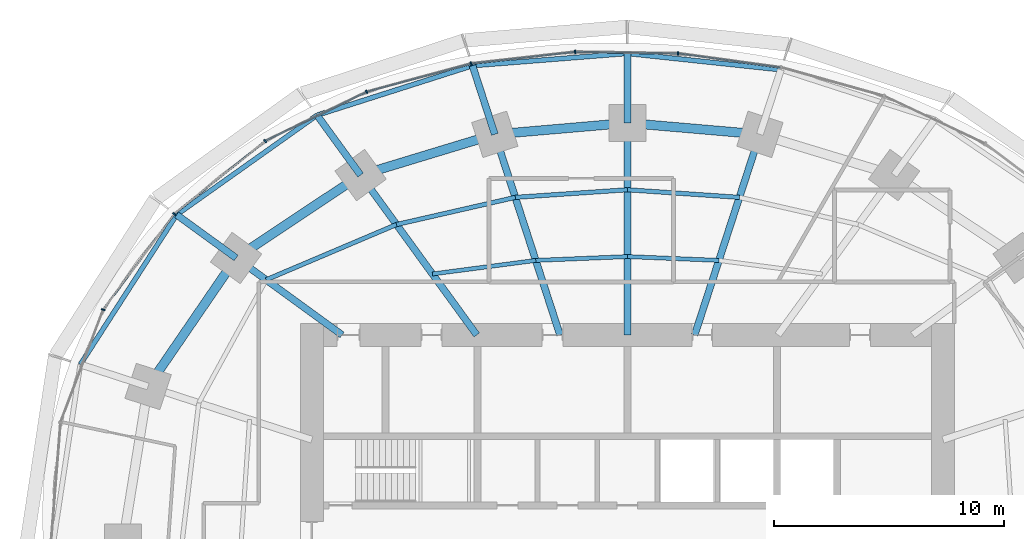
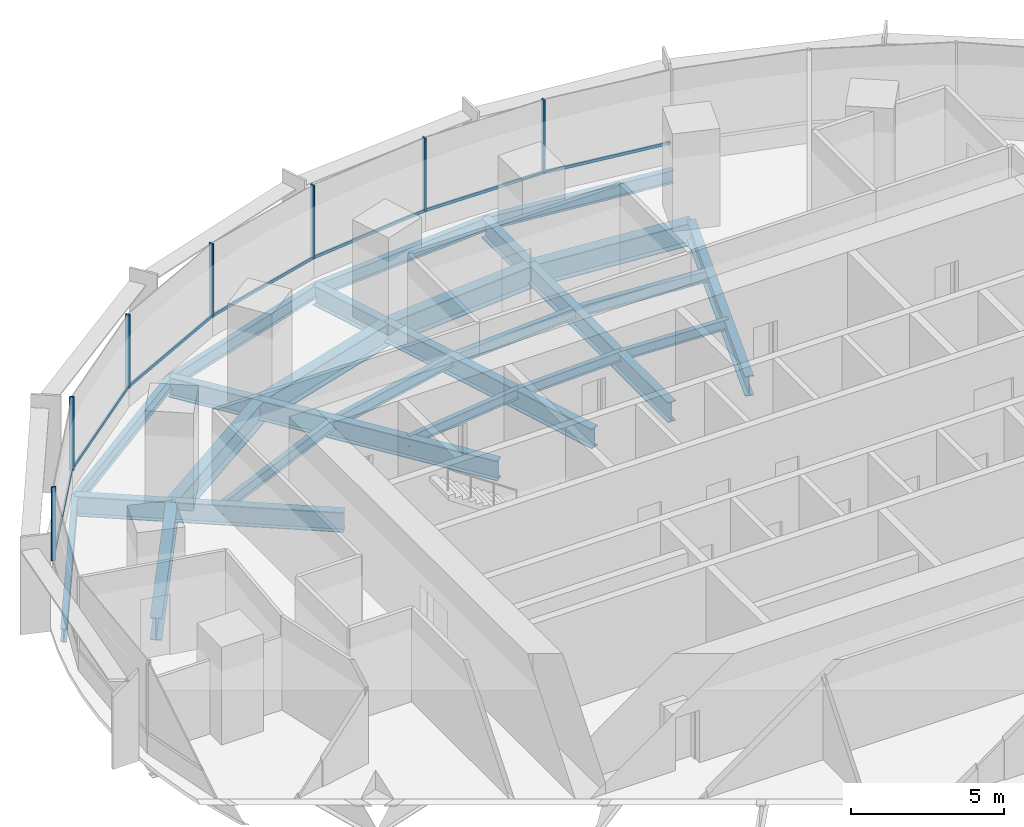
# One storey, part 7 of 14: 26 beams, 14 members, 2 elements without a shape of their own.
"""IFC4 building model written with IfcOpenShell, lengths in metres."""

from ifc_helpers import new_model, si_unit, direction, frame, origin, origin_2d, place, context, subcontext, project, spatial, rectangle, i_section, extrude, material, material_profile, profile_set, type_object, element, aggregate, save


model = new_model("IFC4")

# Units and contexts
model_context = context("Model", 3, precision=1e-05, world=origin(), true_north=direction((0.0, 1.0)))
body_context = subcontext(model_context, "Body", "Model", "MODEL_VIEW")
ifc_project = project(units=[si_unit("LENGTHUNIT", "METRE"), si_unit("AREAUNIT", "SQUARE_METRE"), si_unit("VOLUMEUNIT", "CUBIC_METRE"), si_unit("PLANEANGLEUNIT", "RADIAN"), si_unit("MASSUNIT", "GRAM", prefix="KILO")], contexts=[model_context])

# Site, building, storey
site_placement = place(None, origin())
site = spatial("IfcSite", under=ifc_project, at=site_placement, CompositionType="ELEMENT")
building_placement = place(site_placement, origin())
building = spatial("IfcBuilding", under=site, at=building_placement, Name="Marramba Exchange Tower", CompositionType="ELEMENT")
storey_placement = place(building_placement, frame((0.0, 0.0, 150.89990234375)))
storey = spatial("IfcBuildingStorey", under=building, at=storey_placement, Name="L36", CompositionType="ELEMENT", Elevation=150.89990234375)

# Beams
ifc_material_1 = material(Name="Steel AS/NZS 3679.2 grade 300", Category="steel")
ifc_material_profile_1 = material_profile(ifc_material_1, i_section(OverallWidth=0.300048828125, OverallDepth=0.800048828125, WebThickness=0.013916015625, FlangeThickness=0.031982421875, at=origin_2d()), Name="800WB192")
ifc_profile_set_1 = profile_set([ifc_material_profile_1], Name="Steel AS/NZS 3679.2 grade 300")
beam_type_1 = type_object("IfcBeamType", Name="Cantilever girder 800WB192", PredefinedType="BEAM", material=ifc_profile_set_1)
beam_1_placement = place(storey_placement, frame((0.0, 18.2041015625, -0.559814453125), z_axis=(0.0, 1.0, 0.0), x_axis=(-1.0, 0.0, 0.0)))
element("IfcBeam", 1, at=beam_1_placement, inside=storey, type_object=beam_type_1, Name="Cantilever girder L36 TC06", PredefinedType="BEAM", context=body_context, shape_type="SweptSolid", body=[
    extrude(i_section(OverallWidth=0.300048828125, OverallDepth=0.800048828125, WebThickness=0.013916015625, FlangeThickness=0.031982421875, at=origin_2d()), origin(), (0.0, 0.0, 1.0), 3.01904296875),
])
beam_2_placement = place(storey_placement, frame((-5.75390625, 17.70849609375, -0.559814453125), z_axis=(-0.309028002802, 0.95105293937, 0.0), x_axis=(-0.95105293937, -0.309028002802, 0.0)))
element("IfcBeam", 2, at=beam_2_placement, inside=storey, type_object=beam_type_1, Name="Cantilever girder L36 TC07", PredefinedType="BEAM", context=body_context, shape_type="SweptSolid", body=[
    extrude(i_section(OverallWidth=0.300048828125, OverallDepth=0.800048828125, WebThickness=0.013916015625, FlangeThickness=0.031982421875, at=origin_2d()), origin(), (0.0, 0.0, 1.0), 3.13720703125),
])
beam_3_placement = place(storey_placement, frame((-11.581298828125, 15.9404296875, -0.559814453125), z_axis=(-0.587828447158, 0.808985609706, 0.0), x_axis=(-0.808985609706, -0.587828447158, 0.0)))
element("IfcBeam", 3, at=beam_3_placement, inside=storey, type_object=beam_type_1, Name="Cantilever girder L36 TC08", PredefinedType="BEAM", context=body_context, shape_type="SweptSolid", body=[
    extrude(i_section(OverallWidth=0.300048828125, OverallDepth=0.800048828125, WebThickness=0.013916015625, FlangeThickness=0.031982421875, at=origin_2d()), origin(), (0.0, 0.0, 1.0), 3.214599609375),
])
beam_4_placement = place(storey_placement, frame((-16.98583984375, 12.3408203125, -0.559814453125), z_axis=(-0.809013857915, 0.587789569234, 0.0), x_axis=(-0.587789569234, -0.809013857915, 0.0)))
element("IfcBeam", 4, at=beam_4_placement, inside=storey, type_object=beam_type_1, Name="Cantilever girder L36 TC09", PredefinedType="BEAM", context=body_context, shape_type="SweptSolid", body=[
    extrude(i_section(OverallWidth=0.300048828125, OverallDepth=0.800048828125, WebThickness=0.013916015625, FlangeThickness=0.031982421875, at=origin_2d()), origin(), (0.0, 0.0, 1.0), 3.191650390625),
])
ifc_material_2 = material(Name="Steel AS/NZS 3679.1 grade 300", Category="steel")
ifc_material_profile_2 = material_profile(ifc_material_2, i_section(OverallWidth=0.177978515625, OverallDepth=0.406005859375, WebThickness=0.0078125, FlangeThickness=0.0126953125, FilletRadius=0.011474609375, at=origin_2d()), Name="410UB59.7")
ifc_profile_set_2 = profile_set([ifc_material_profile_2], Name="Steel AS/NZS 3679.1 grade 300")
beam_type_2 = type_object("IfcBeamType", Name="Floor joist 410UB59.7", PredefinedType="JOIST", material=ifc_profile_set_2)
for number, where, z_axis, x_axis, name in (
    (5, (3.975830078125, 12.236083984375, -0.36279296875), (-0.999137002892, 0.041536122257, 0.0), (-0.041536122257, -0.999137002892, 0.0), "Joist L36 bay 05 row 1"),
    (6, (0.0, 12.4013671875, -0.36279296875), (-0.999137002892, -0.041536122257, 0.0), (0.041536122257, -0.999137002892, 0.0), "Joist L36 bay 06 row 1"),
):
    element("IfcBeam", number, at=place(storey_placement, frame(where, z_axis=z_axis, x_axis=x_axis)), inside=storey, type_object=beam_type_2, Name=name, PredefinedType="JOIST", context=body_context, shape_type="SweptSolid", body=[
        extrude(i_section(OverallWidth=0.177978515625, OverallDepth=0.406005859375, WebThickness=0.0078125, FlangeThickness=0.0126953125, FilletRadius=0.011474609375, at=origin_2d()), origin(), (0.0, 0.0, 1.0), 3.979248046875),
    ])
beam_5_placement = place(storey_placement, frame((-3.975830078125, 12.236083984375, -0.36279296875), z_axis=(-0.991480538255, -0.130254912618, 0.0), x_axis=(0.130254912618, -0.991480538255, 0.0)))
element("IfcBeam", 7, at=beam_5_placement, inside=storey, type_object=beam_type_2, Name="Joist L36 bay 07 row 1", PredefinedType="JOIST", context=body_context, shape_type="SweptSolid", body=[
    extrude(i_section(OverallWidth=0.177978515625, OverallDepth=0.406005859375, WebThickness=0.0078125, FlangeThickness=0.0126953125, FilletRadius=0.011474609375, at=origin_2d()), origin(), (0.0, 0.0, 1.0), 4.524658203125),
])
ifc_material_profile_3 = material_profile(ifc_material_2, i_section(OverallWidth=0.18994140625, OverallDepth=0.4541015625, WebThickness=0.008544921875, FlangeThickness=0.0126953125, FilletRadius=0.011474609375, at=origin_2d()), Name="460UB67.1")
ifc_profile_set_3 = profile_set([ifc_material_profile_3], Name="Steel AS/NZS 3679.1 grade 300")
beam_type_3 = type_object("IfcBeamType", Name="Floor joist 460UB67.1", PredefinedType="JOIST", material=ifc_profile_set_3)
for number, where, z_axis, x_axis, name in (
    (8, (4.86474609375, 14.972412109375, -0.386962890625), (-0.997702652202, 0.067745241816, 0.0), (-0.067745241816, -0.997702652202, 0.0), "Joist L36 bay 05 row 2"),
    (9, (0.0, 15.302734375, -0.386962890625), (-0.997702652202, -0.067745241816, 0.0), (0.067745241816, -0.997702652202, 0.0), "Joist L36 bay 06 row 2"),
):
    element("IfcBeam", number, at=place(storey_placement, frame(where, z_axis=z_axis, x_axis=x_axis)), inside=storey, type_object=beam_type_3, Name=name, PredefinedType="JOIST", context=body_context, shape_type="SweptSolid", body=[
        extrude(i_section(OverallWidth=0.18994140625, OverallDepth=0.4541015625, WebThickness=0.008544921875, FlangeThickness=0.0126953125, FilletRadius=0.011474609375, at=origin_2d()), origin(), (0.0, 0.0, 1.0), 4.8759765625),
    ])
beam_6_placement = place(storey_placement, frame((-4.86474609375, 14.972412109375, -0.386962890625), z_axis=(-0.974859652292, -0.222819788916, 0.0), x_axis=(0.222819788916, -0.974859652292, 0.0)))
element("IfcBeam", 10, at=beam_6_placement, inside=storey, type_object=beam_type_3, Name="Joist L36 bay 07 row 2", PredefinedType="JOIST", context=body_context, shape_type="SweptSolid", body=[
    extrude(i_section(OverallWidth=0.18994140625, OverallDepth=0.4541015625, WebThickness=0.008544921875, FlangeThickness=0.0126953125, FilletRadius=0.011474609375, at=origin_2d()), origin(), (0.0, 0.0, 1.0), 5.2900390625),
])
beam_7_placement = place(storey_placement, frame((-10.021728515625, 13.793701171875, -0.386962890625), z_axis=(-0.920674336375, -0.390331610738, 0.0), x_axis=(0.390331610738, -0.920674336375, 0.0)))
element("IfcBeam", 11, at=beam_7_placement, inside=storey, type_object=beam_type_3, Name="Joist L36 bay 08 row 2", PredefinedType="JOIST", context=body_context, shape_type="SweptSolid", body=[
    extrude(i_section(OverallWidth=0.18994140625, OverallDepth=0.4541015625, WebThickness=0.008544921875, FlangeThickness=0.0126953125, FilletRadius=0.011474609375, at=origin_2d()), origin(), (0.0, 0.0, 1.0), 6.1484375),
])

# Curtain wall, members
ifc_material_3 = material(Name="Aluminium framing, bronze anodised", Category="aluminium")
curtain_wall_type = type_object("IfcCurtainWallType", Name="Office ribbon curtain wall", PredefinedType="USERDEFINED", material=ifc_material_3)
curtain_wall_1_placement = place(storey_placement, origin())
curtain_wall_1 = element("IfcCurtainWall", 12, at=curtain_wall_1_placement, inside=storey, type_object=curtain_wall_type, Name="Curtain wall CW4 L36 F06-F10", ObjectType="RIBBON CURTAIN WALL", PredefinedType="USERDEFINED")
ifc_material_4 = material(Name="Aluminium mullion, bronze anodised", Category="aluminium")
ifc_material_profile_4 = material_profile(ifc_material_4, rectangle(XDim=0.159912109375, YDim=0.06005859375, at=origin_2d()), Name="CW4 mullion 60x160")
ifc_profile_set_4 = profile_set([ifc_material_profile_4], Name="Aluminium mullion, bronze anodised")
member_type_1 = type_object("IfcMemberType", Name="Office ribbon curtain wall mullion", PredefinedType="MULLION", material=ifc_profile_set_4)
member_1_placement = place(storey_placement, frame((2.200439453125, 21.2216796875, 0.800048828125), z_axis=(0.0, 0.0, 1.0), x_axis=(-0.01575578169, -0.999875869968, 0.0)))
member_1 = element("IfcMember", 13, at=member_1_placement, type_object=member_type_1, Name="CW4 mullion 1", PredefinedType="MULLION", context=body_context, shape_type="SweptSolid", body=[
    extrude(rectangle(XDim=0.159912109375, YDim=0.06005859375, at=origin_2d()), origin(), (0.0, 0.0, 1.0), 2.93994140625),
])
member_2_placement = place(storey_placement, frame((-2.267578125, 21.288330078125, 0.800048828125), z_axis=(0.0, 0.0, 1.0), x_axis=(0.110973233233, -0.993823395532, 0.0)))
member_2 = element("IfcMember", 14, at=member_2_placement, type_object=member_type_1, Name="CW4 mullion 1", PredefinedType="MULLION", context=body_context, shape_type="SweptSolid", body=[
    extrude(rectangle(XDim=0.159912109375, YDim=0.06005859375, at=origin_2d()), origin(), (0.0, 0.0, 1.0), 2.93994140625),
])
member_3_placement = place(storey_placement, frame((-6.783203125, 20.779541015625, 0.800048828125), z_axis=(0.0, 0.0, 1.0), x_axis=(0.260321294588, -0.965522047176, 0.0)))
member_3 = element("IfcMember", 15, at=member_3_placement, type_object=member_type_1, Name="CW4 mullion 1", PredefinedType="MULLION", context=body_context, shape_type="SweptSolid", body=[
    extrude(rectangle(XDim=0.159912109375, YDim=0.06005859375, at=origin_2d()), origin(), (0.0, 0.0, 1.0), 2.93994140625),
])

curtain_wall_2_placement = place(storey_placement, origin())
curtain_wall_2 = element("IfcCurtainWall", 16, at=curtain_wall_2_placement, inside=storey, type_object=curtain_wall_type, Name="Curtain wall CW4 L36 F11-F15", ObjectType="RIBBON CURTAIN WALL", PredefinedType="USERDEFINED")
member_4_placement = place(storey_placement, frame((-11.32177734375, 19.550048828125, 0.800048828125), z_axis=(0.0, 0.0, 1.0), x_axis=(0.435427626771, -0.900223739881, 0.0)))
member_4 = element("IfcMember", 17, at=member_4_placement, type_object=member_type_1, Name="CW4 mullion 1", PredefinedType="MULLION", context=body_context, shape_type="SweptSolid", body=[
    extrude(rectangle(XDim=0.159912109375, YDim=0.06005859375, at=origin_2d()), origin(), (0.0, 0.0, 1.0), 2.93994140625),
])
member_5_placement = place(storey_placement, frame((-15.720703125, 17.414794921875, 0.800048828125), z_axis=(0.0, 0.0, 1.0), x_axis=(0.624307950145, -0.78117833008, 0.0)))
member_5 = element("IfcMember", 18, at=member_5_placement, type_object=member_type_1, Name="CW4 mullion 1", PredefinedType="MULLION", context=body_context, shape_type="SweptSolid", body=[
    extrude(rectangle(XDim=0.159912109375, YDim=0.06005859375, at=origin_2d()), origin(), (0.0, 0.0, 1.0), 2.93994140625),
])
member_6_placement = place(storey_placement, frame((-19.666748046875, 14.251708984375, 0.800048828125), z_axis=(0.0, 0.0, 1.0), x_axis=(0.80171686484, -0.597703997504, 0.0)))
member_6 = element("IfcMember", 19, at=member_6_placement, type_object=member_type_1, Name="CW4 mullion 1", PredefinedType="MULLION", context=body_context, shape_type="SweptSolid", body=[
    extrude(rectangle(XDim=0.159912109375, YDim=0.06005859375, at=origin_2d()), origin(), (0.0, 0.0, 1.0), 2.93994140625),
])
member_7_placement = place(storey_placement, frame((-22.75341796875, 10.09765625, 0.800048828125), z_axis=(0.0, 0.0, 1.0), x_axis=(0.934925346317, -0.354844468484, 0.0)))
member_7 = element("IfcMember", 20, at=member_7_placement, type_object=member_type_1, Name="CW4 mullion 1", PredefinedType="MULLION", context=body_context, shape_type="SweptSolid", body=[
    extrude(rectangle(XDim=0.159912109375, YDim=0.06005859375, at=origin_2d()), origin(), (0.0, 0.0, 1.0), 2.93994140625),
])

# Member
ifc_material_5 = material(Name="Aluminium transom, bronze anodised", Category="aluminium")
ifc_material_profile_5 = material_profile(ifc_material_5, rectangle(XDim=0.06005859375, YDim=0.1201171875, at=origin_2d()), Name="CW4 transom 60x120")
ifc_profile_set_5 = profile_set([ifc_material_profile_5], Name="Aluminium transom, bronze anodised")
member_type_2 = type_object("IfcMemberType", Name="Office ribbon curtain wall transom", PredefinedType="USERDEFINED", material=ifc_profile_set_5)
member_8_placement = place(storey_placement, frame((6.636962890625, 20.6171875, 0.830078125), z_axis=(-0.990736067897, 0.135801486619, 0.0), x_axis=(-0.135801486619, -0.990736067897, 0.0)))
member_8 = element("IfcMember", 21, at=member_8_placement, type_object=member_type_2, Name="CW4 sill transom", ObjectType="TRANSOM", PredefinedType="USERDEFINED", context=body_context, shape_type="SweptSolid", body=[
    extrude(rectangle(XDim=0.06005859375, YDim=0.1201171875, at=origin_2d()), origin(), (0.0, 0.0, 1.0), 4.44775390625),
])

member_9_placement = place(storey_placement, frame((2.17041015625, 21.22216796875, 0.830078125), z_axis=(-0.999875452363, 0.015782260962, 0.0), x_axis=(-0.015782260962, -0.999875452363, 0.0)))
member_9 = element("IfcMember", 22, at=member_9_placement, type_object=member_type_2, Name="CW4 sill transom", ObjectType="TRANSOM", PredefinedType="USERDEFINED", context=body_context, shape_type="SweptSolid", body=[
    extrude(rectangle(XDim=0.06005859375, YDim=0.1201171875, at=origin_2d()), origin(), (0.0, 0.0, 1.0), 4.40869140625),
])

member_10_placement = place(storey_placement, frame((-2.29736328125, 21.284912109375, 0.830078125), z_axis=(-0.993825837835, -0.110951358943, 0.0), x_axis=(0.110951358943, -0.993825837835, 0.0)))
member_10 = element("IfcMember", 23, at=member_10_placement, type_object=member_type_2, Name="CW4 sill transom", ObjectType="TRANSOM", PredefinedType="USERDEFINED", context=body_context, shape_type="SweptSolid", body=[
    extrude(rectangle(XDim=0.06005859375, YDim=0.1201171875, at=origin_2d()), origin(), (0.0, 0.0, 1.0), 4.484375),
])

member_11_placement = place(storey_placement, frame((-6.812255859375, 20.771728515625, 0.830078125), z_axis=(-0.965511085148, -0.260361948942, 0.0), x_axis=(0.260361948942, -0.965511085148, 0.0)))
member_11 = element("IfcMember", 24, at=member_11_placement, type_object=member_type_2, Name="CW4 sill transom", ObjectType="TRANSOM", PredefinedType="USERDEFINED", context=body_context, shape_type="SweptSolid", body=[
    extrude(rectangle(XDim=0.06005859375, YDim=0.1201171875, at=origin_2d()), origin(), (0.0, 0.0, 1.0), 4.642578125),
])

aggregate(curtain_wall_1, [member_8, member_1, member_9, member_2, member_10, member_3, member_11])

member_12_placement = place(storey_placement, frame((-11.348876953125, 19.536865234375, 0.830078125), z_axis=(-0.900223166385, -0.435428812442, 0.0), x_axis=(0.435428812442, -0.900223166385, 0.0)))
member_12 = element("IfcMember", 25, at=member_12_placement, type_object=member_type_2, Name="CW4 sill transom", ObjectType="TRANSOM", PredefinedType="USERDEFINED", context=body_context, shape_type="SweptSolid", body=[
    extrude(rectangle(XDim=0.06005859375, YDim=0.1201171875, at=origin_2d()), origin(), (0.0, 0.0, 1.0), 4.830322265625),
])

member_13_placement = place(storey_placement, frame((-15.744140625, 17.396240234375, 0.830078125), z_axis=(-0.781164169531, -0.624325668414, 0.0), x_axis=(0.624325668414, -0.781164169531, 0.0)))
member_13 = element("IfcMember", 26, at=member_13_placement, type_object=member_type_2, Name="CW4 sill transom", ObjectType="TRANSOM", PredefinedType="USERDEFINED", context=body_context, shape_type="SweptSolid", body=[
    extrude(rectangle(XDim=0.06005859375, YDim=0.1201171875, at=origin_2d()), origin(), (0.0, 0.0, 1.0), 4.998291015625),
])

member_14_placement = place(storey_placement, frame((-19.6845703125, 14.2275390625, 0.830078125), z_axis=(-0.597714731658, -0.801708862093, 0.0), x_axis=(0.801708862093, -0.597714731658, 0.0)))
member_14 = element("IfcMember", 27, at=member_14_placement, type_object=member_type_2, Name="CW4 sill transom", ObjectType="TRANSOM", PredefinedType="USERDEFINED", context=body_context, shape_type="SweptSolid", body=[
    extrude(rectangle(XDim=0.06005859375, YDim=0.1201171875, at=origin_2d()), origin(), (0.0, 0.0, 1.0), 5.1162109375),
])

aggregate(curtain_wall_2, [member_4, member_12, member_5, member_13, member_6, member_14, member_7])

# Beams
ifc_material_profile_6 = material_profile(ifc_material_1, i_section(OverallWidth=0.300048828125, OverallDepth=0.800048828125, WebThickness=0.013916015625, FlangeThickness=0.031982421875, at=origin_2d()), Name="800WB192")
ifc_profile_set_6 = profile_set([ifc_material_profile_6], Name="Steel AS/NZS 3679.2 grade 300")
beam_type_4 = type_object("IfcBeamType", Name="Radial girder 800WB192", PredefinedType="BEAM", material=ifc_profile_set_6)
beam_8_placement = place(storey_placement, frame((2.92431640625, 9.0, -0.559814453125), z_axis=(0.309019754162, 0.951055619582, 0.0), x_axis=(-0.951055619582, 0.309019754162, 0.0)))
element("IfcBeam", 28, at=beam_8_placement, inside=storey, type_object=beam_type_4, Name="Radial girder L36 TC05", PredefinedType="BEAM", context=body_context, shape_type="SweptSolid", body=[
    extrude(i_section(OverallWidth=0.300048828125, OverallDepth=0.800048828125, WebThickness=0.013916015625, FlangeThickness=0.031982421875, at=origin_2d()), origin(), (0.0, 0.0, 1.0), 9.15673828125),
])
beam_9_placement = place(storey_placement, frame((0.0, 9.0, -0.559814453125), z_axis=(0.0, 1.0, 0.0), x_axis=(-1.0, 0.0, 0.0)))
element("IfcBeam", 29, at=beam_9_placement, inside=storey, type_object=beam_type_4, Name="Radial girder L36 TC06", PredefinedType="BEAM", context=body_context, shape_type="SweptSolid", body=[
    extrude(i_section(OverallWidth=0.300048828125, OverallDepth=0.800048828125, WebThickness=0.013916015625, FlangeThickness=0.031982421875, at=origin_2d()), origin(), (0.0, 0.0, 1.0), 9.2041015625),
])
beam_10_placement = place(storey_placement, frame((-2.92431640625, 9.0, -0.559814453125), z_axis=(-0.309019754162, 0.951055619582, 0.0), x_axis=(-0.951055619582, -0.309019754162, 0.0)))
element("IfcBeam", 30, at=beam_10_placement, inside=storey, type_object=beam_type_4, Name="Radial girder L36 TC07", PredefinedType="BEAM", context=body_context, shape_type="SweptSolid", body=[
    extrude(i_section(OverallWidth=0.300048828125, OverallDepth=0.800048828125, WebThickness=0.013916015625, FlangeThickness=0.031982421875, at=origin_2d()), origin(), (0.0, 0.0, 1.0), 9.15673828125),
])
beam_11_placement = place(storey_placement, frame((-6.538818359375, 9.0, -0.559814453125), z_axis=(-0.587782439969, 0.80901903764, 0.0), x_axis=(-0.80901903764, -0.587782439969, 0.0)))
element("IfcBeam", 31, at=beam_11_placement, inside=storey, type_object=beam_type_4, Name="Radial girder L36 TC08", PredefinedType="BEAM", context=body_context, shape_type="SweptSolid", body=[
    extrude(i_section(OverallWidth=0.300048828125, OverallDepth=0.800048828125, WebThickness=0.013916015625, FlangeThickness=0.031982421875, at=origin_2d()), origin(), (0.0, 0.0, 1.0), 8.578857421875),
])
beam_12_placement = place(storey_placement, frame((-12.387451171875, 9.0, -0.559814453125), z_axis=(-0.809025746925, 0.587773205252, 0.0), x_axis=(-0.587773205252, -0.809025746925, 0.0)))
element("IfcBeam", 32, at=beam_12_placement, inside=storey, type_object=beam_type_4, Name="Radial girder L36 TC09", PredefinedType="BEAM", context=body_context, shape_type="SweptSolid", body=[
    extrude(i_section(OverallWidth=0.300048828125, OverallDepth=0.800048828125, WebThickness=0.013916015625, FlangeThickness=0.031982421875, at=origin_2d()), origin(), (0.0, 0.0, 1.0), 5.683837890625),
])
ifc_material_profile_7 = material_profile(ifc_material_1, i_section(OverallWidth=0.39990234375, OverallDepth=0.89990234375, WebThickness=0.01611328125, FlangeThickness=0.031982421875, at=origin_2d()), Name="900WB282")
ifc_profile_set_7 = profile_set([ifc_material_profile_7], Name="Steel AS/NZS 3679.2 grade 300")
beam_type_5 = type_object("IfcBeamType", Name="Ring beam 900WB282", PredefinedType="SPANDREL", material=ifc_profile_set_7)
for number, where, z_axis, x_axis, name in (
    (33, (5.75390625, 17.70849609375, -0.60986328125), (-0.996311003275, 0.085815993578, 0.0), (-0.085815993578, -0.996311003275, 0.0), "Ring beam L36 TC05-TC06"),
    (34, (0.0, 18.2041015625, -0.60986328125), (-0.996311003275, -0.085815993578, 0.0), (0.085815993578, -0.996311003275, 0.0), "Ring beam L36 TC06-TC07"),
):
    element("IfcBeam", number, at=place(storey_placement, frame(where, z_axis=z_axis, x_axis=x_axis)), inside=storey, type_object=beam_type_5, Name=name, PredefinedType="SPANDREL", context=body_context, shape_type="SweptSolid", body=[
        extrude(i_section(OverallWidth=0.39990234375, OverallDepth=0.89990234375, WebThickness=0.01611328125, FlangeThickness=0.031982421875, at=origin_2d()), origin(), (0.0, 0.0, 1.0), 5.775146484375),
    ])
beam_13_placement = place(storey_placement, frame((-5.75390625, 17.70849609375, -0.60986328125), z_axis=(-0.956924542524, -0.290336735387, 0.0), x_axis=(0.290336735387, -0.956924542524, 0.0)))
element("IfcBeam", 35, at=beam_13_placement, inside=storey, type_object=beam_type_5, Name="Ring beam L36 TC07-TC08", PredefinedType="SPANDREL", context=body_context, shape_type="SweptSolid", body=[
    extrude(i_section(OverallWidth=0.39990234375, OverallDepth=0.89990234375, WebThickness=0.01611328125, FlangeThickness=0.031982421875, at=origin_2d()), origin(), (0.0, 0.0, 1.0), 6.089599609375),
])
beam_14_placement = place(storey_placement, frame((-11.581298828125, 15.9404296875, -0.60986328125), z_axis=(-0.832293151443, -0.554335737673, 0.0), x_axis=(0.554335737673, -0.832293151443, 0.0)))
element("IfcBeam", 36, at=beam_14_placement, inside=storey, type_object=beam_type_5, Name="Ring beam L36 TC08-TC09", PredefinedType="SPANDREL", context=body_context, shape_type="SweptSolid", body=[
    extrude(i_section(OverallWidth=0.39990234375, OverallDepth=0.89990234375, WebThickness=0.01611328125, FlangeThickness=0.031982421875, at=origin_2d()), origin(), (0.0, 0.0, 1.0), 6.49365234375),
])
beam_15_placement = place(storey_placement, frame((-16.98583984375, 12.3408203125, -0.60986328125), z_axis=(-0.56516002054, -0.824981303535, 0.0), x_axis=(0.824981303535, -0.56516002054, 0.0)))
element("IfcBeam", 37, at=beam_15_placement, inside=storey, type_object=beam_type_5, Name="Ring beam L36 TC09-TC10", PredefinedType="SPANDREL", context=body_context, shape_type="SweptSolid", body=[
    extrude(i_section(OverallWidth=0.39990234375, OverallDepth=0.89990234375, WebThickness=0.01611328125, FlangeThickness=0.031982421875, at=origin_2d()), origin(), (0.0, 0.0, 1.0), 6.763671875),
])
ifc_material_profile_8 = material_profile(ifc_material_2, i_section(OverallWidth=0.208984375, OverallDepth=0.528076171875, WebThickness=0.009521484375, FlangeThickness=0.01318359375, FilletRadius=0.013916015625, at=origin_2d()), Name="530UB82.0")
ifc_profile_set_8 = profile_set([ifc_material_profile_8], Name="Steel AS/NZS 3679.1 grade 300")
beam_type_6 = type_object("IfcBeamType", Name="Slab edge beam 530UB82.0", PredefinedType="SPANDREL", material=ifc_profile_set_8)
beam_16_placement = place(storey_placement, frame((6.66552734375, 20.51416015625, -0.423828125), z_axis=(-0.994390706415, 0.105769196815, 0.0), x_axis=(-0.105769196815, -0.994390706415, 0.0)))
element("IfcBeam", 38, at=beam_16_placement, inside=storey, type_object=beam_type_6, Name="Slab edge beam L36 TC05-TC06", PredefinedType="SPANDREL", context=body_context, shape_type="SweptSolid", body=[
    extrude(i_section(OverallWidth=0.208984375, OverallDepth=0.528076171875, WebThickness=0.009521484375, FlangeThickness=0.01318359375, FilletRadius=0.013916015625, at=origin_2d()), origin(), (0.0, 0.0, 1.0), 6.703125),
])
beam_17_placement = place(storey_placement, frame((0.0, 21.22314453125, -0.423828125), z_axis=(-0.996895681721, -0.078733726996, 0.0), x_axis=(0.078733726996, -0.996895681721, 0.0)))
element("IfcBeam", 39, at=beam_17_placement, inside=storey, type_object=beam_type_6, Name="Slab edge beam L36 TC06-TC07", PredefinedType="SPANDREL", context=body_context, shape_type="SweptSolid", body=[
    extrude(i_section(OverallWidth=0.208984375, OverallDepth=0.528076171875, WebThickness=0.009521484375, FlangeThickness=0.01318359375, FilletRadius=0.013916015625, at=origin_2d()), origin(), (0.0, 0.0, 1.0), 6.744384765625),
])
beam_18_placement = place(storey_placement, frame((-6.723388671875, 20.692138671875, -0.423828125), z_axis=(-0.952755400854, -0.303738614839, 0.0), x_axis=(0.303738614839, -0.952755400854, 0.0)))
element("IfcBeam", 40, at=beam_18_placement, inside=storey, type_object=beam_type_6, Name="Slab edge beam L36 TC07-TC08", PredefinedType="SPANDREL", context=body_context, shape_type="SweptSolid", body=[
    extrude(i_section(OverallWidth=0.208984375, OverallDepth=0.528076171875, WebThickness=0.009521484375, FlangeThickness=0.01318359375, FilletRadius=0.013916015625, at=origin_2d()), origin(), (0.0, 0.0, 1.0), 7.08203125),
])
beam_19_placement = place(storey_placement, frame((-13.470947265625, 18.541015625, -0.423828125), z_axis=(-0.815673202412, -0.578512944425, 0.0), x_axis=(0.578512944425, -0.815673202412, 0.0)))
element("IfcBeam", 41, at=beam_19_placement, inside=storey, type_object=beam_type_6, Name="Slab edge beam L36 TC08-TC09", PredefinedType="SPANDREL", context=body_context, shape_type="SweptSolid", body=[
    extrude(i_section(OverallWidth=0.208984375, OverallDepth=0.528076171875, WebThickness=0.009521484375, FlangeThickness=0.01318359375, FilletRadius=0.013916015625, at=origin_2d()), origin(), (0.0, 0.0, 1.0), 7.474609375),
])
beam_20_placement = place(storey_placement, frame((-19.56787109375, 14.216796875, -0.423828125), z_axis=(-0.541060886597, -0.840983422544, 0.0), x_axis=(0.840983422544, -0.541060886597, 0.0)))
element("IfcBeam", 42, at=beam_20_placement, inside=storey, type_object=beam_type_6, Name="Slab edge beam L36 TC09-TC10", PredefinedType="SPANDREL", context=body_context, shape_type="SweptSolid", body=[
    extrude(i_section(OverallWidth=0.208984375, OverallDepth=0.528076171875, WebThickness=0.009521484375, FlangeThickness=0.01318359375, FilletRadius=0.013916015625, at=origin_2d()), origin(), (0.0, 0.0, 1.0), 7.72900390625),
])

save(model, "model.ifc")
